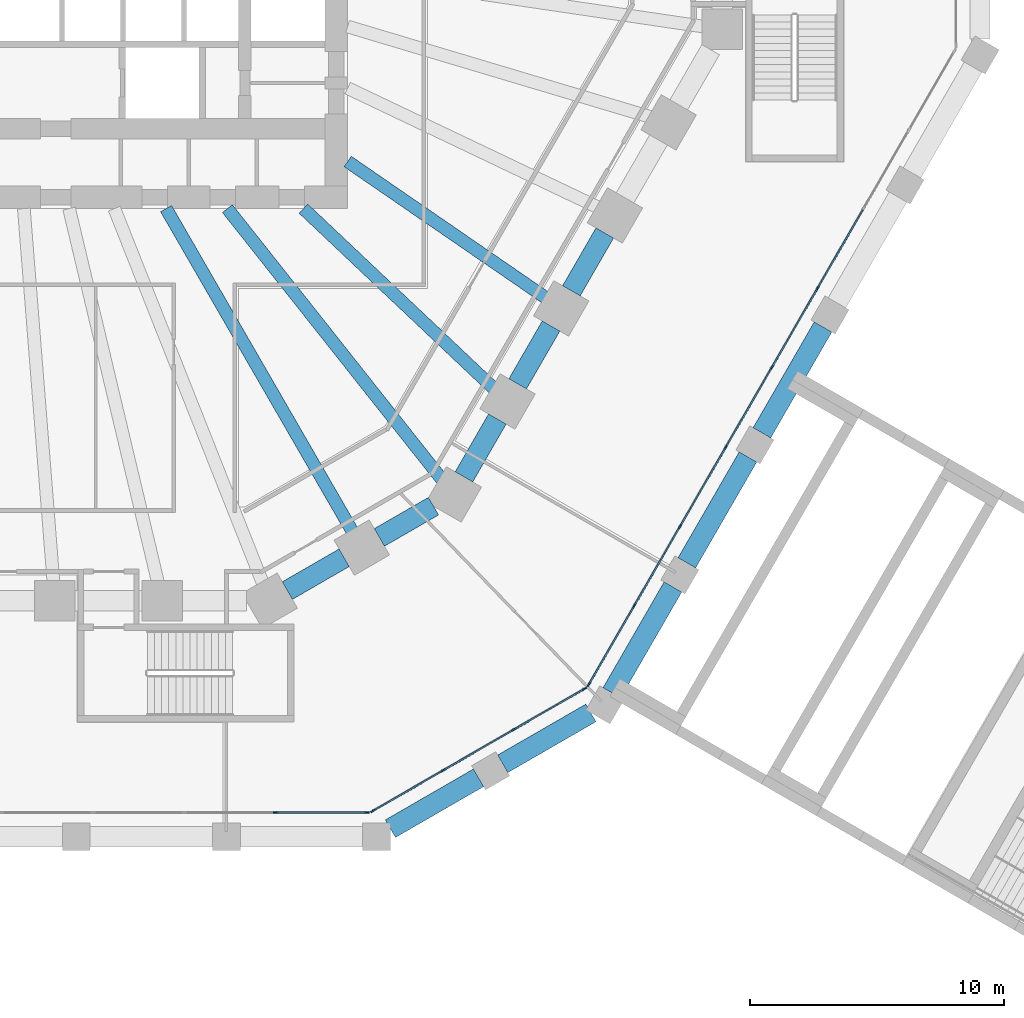
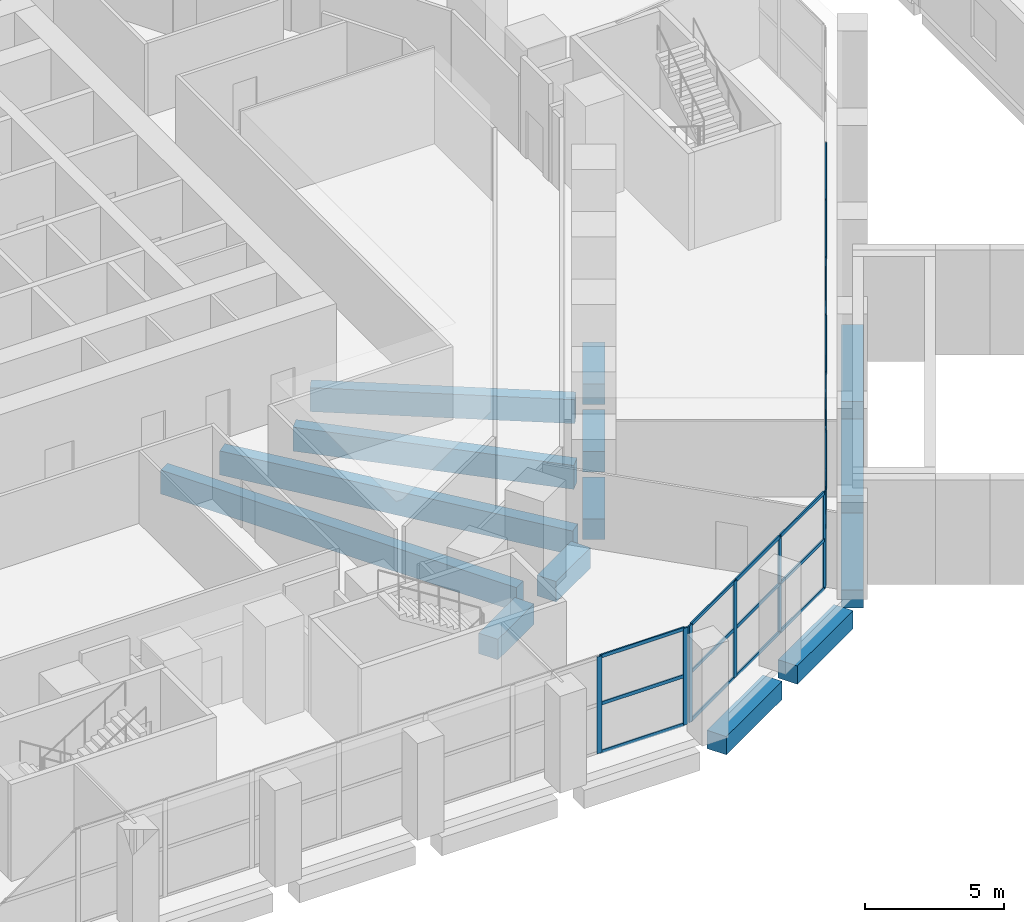
# One storey, part 7 of 38: 42 members, 14 beams, 3 elements without a shape of their own.
"""IFC4 building model written with IfcOpenShell, lengths in metres."""

from ifc_helpers import new_model, si_unit, direction, frame, origin, origin_2d, place, context, subcontext, project, spatial, rectangle, extrude, material, material_profile, profile_set, type_object, element, aggregate, save


model = new_model("IFC4")

# Units and contexts
model_context = context("Model", 3, precision=1e-05, world=origin(), true_north=direction((0.0, 1.0)))
body_context = subcontext(model_context, "Body", "Model", "MODEL_VIEW")
ifc_project = project(units=[si_unit("LENGTHUNIT", "METRE"), si_unit("AREAUNIT", "SQUARE_METRE"), si_unit("VOLUMEUNIT", "CUBIC_METRE"), si_unit("PLANEANGLEUNIT", "RADIAN"), si_unit("MASSUNIT", "GRAM", prefix="KILO")], contexts=[model_context])

# Site, building, storey
site_placement = place(None, origin())
site = spatial("IfcSite", under=ifc_project, at=site_placement, CompositionType="ELEMENT")
building_placement = place(site_placement, origin())
building = spatial("IfcBuilding", under=site, at=building_placement, Name="Frailejon Research Tower", CompositionType="ELEMENT")
storey_placement = place(building_placement, frame((0.0, 0.0, 5.60009765625)))
storey = spatial("IfcBuildingStorey", under=building, at=storey_placement, Name="L01", CompositionType="ELEMENT", Elevation=5.60009765625)

# Beams
ifc_material_1 = material(Name="Concrete C60/75", Category="concrete")
ifc_material_profile_1 = material_profile(ifc_material_1, rectangle(XDim=0.800048828125, YDim=0.800048828125, at=origin_2d()), Name="Base ring beam")
ifc_profile_set_1 = profile_set([ifc_material_profile_1], Name="Concrete C60/75")
beam_type_1 = type_object("IfcBeamType", Name="Base ring beam", PredefinedType="BEAM", material=ifc_profile_set_1)
for number, where, z_axis, x_axis, name in (
    (1, (15.334716796875, -35.6826171875, -0.75), (0.866013269967, 0.500021015799, 0.0), (-0.500021015799, 0.866013269967, 0.0), "Base ring beam"),
    (2, (19.760986328125, -33.126953125, -0.75), (0.866013269967, 0.500021015799, 0.0), (-0.500021015799, 0.866013269967, 0.0), "Base ring beam"),
):
    element("IfcBeam", number, at=place(storey_placement, frame(where, z_axis=z_axis, x_axis=x_axis)), inside=storey, type_object=beam_type_1, Name=name, PredefinedType="BEAM", context=body_context, shape_type="SweptSolid", body=[
        extrude(rectangle(XDim=0.800048828125, YDim=0.800048828125, at=origin_2d()), origin(), (0.0, 0.0, 1.0), 4.010986328125),
    ])
beam_1_placement = place(storey_placement, frame((24.0595703125, -30.327392578125, -0.75), z_axis=(0.500028306193, 0.866009060579, 0.0), x_axis=(-0.866009060579, 0.500028306193, 0.0)))
element("IfcBeam", 3, at=beam_1_placement, inside=storey, type_object=beam_type_1, Name="Base ring beam", PredefinedType="BEAM", context=body_context, shape_type="SweptSolid", body=[
    extrude(rectangle(XDim=0.800048828125, YDim=0.800048828125, at=origin_2d()), origin(), (0.0, 0.0, 1.0), 4.813720703125),
])
for number, where, z_axis, x_axis, name in (
    (4, (27.0166015625, -25.2060546875, -0.75), (0.50000634465, 0.866021740668, 0.0), (-0.866021740668, 0.50000634465, 0.0), "Base ring beam"),
    (5, (29.973388671875, -20.08447265625, -0.75), (0.50000634465, 0.866021740668, 0.0), (-0.866021740668, 0.50000634465, 0.0), "Base ring beam"),
):
    element("IfcBeam", number, at=place(storey_placement, frame(where, z_axis=z_axis, x_axis=x_axis)), inside=storey, type_object=beam_type_1, Name=name, PredefinedType="BEAM", context=body_context, shape_type="SweptSolid", body=[
        extrude(rectangle(XDim=0.800048828125, YDim=0.800048828125, at=origin_2d()), origin(), (0.0, 0.0, 1.0), 4.81396484375),
    ])
ifc_material_2 = material(Name="Concrete C60/75", Category="concrete")
ifc_material_profile_2 = material_profile(ifc_material_2, rectangle(XDim=0.5, YDim=1.050048828125, at=origin_2d()), Name="Girder 500x1050")
ifc_profile_set_2 = profile_set([ifc_material_profile_2], Name="Concrete C60/75")
beam_type_2 = type_object("IfcBeamType", Name="Girder 500x1050", PredefinedType="BEAM", material=ifc_profile_set_2)
beam_2_placement = place(storey_placement, frame((13.88134765625, -24.043212890625, -0.875), z_axis=(-0.500003328639, 0.866023481986, 0.0), x_axis=(-0.866023481986, -0.500003328639, 0.0)))
element("IfcBeam", 6, at=beam_2_placement, inside=storey, type_object=beam_type_2, Name="Girder 500x1050", PredefinedType="BEAM", context=body_context, shape_type="SweptSolid", body=[
    extrude(rectangle(XDim=0.5, YDim=1.050048828125, at=origin_2d()), origin(), (0.0, 0.0, 1.0), 14.7724609375),
])
beam_3_placement = place(storey_placement, frame((17.3916015625, -21.955322265625, -0.875), z_axis=(-0.620924993475, 0.783869984422, 0.0), x_axis=(-0.783869984422, -0.620924993475, 0.0)))
element("IfcBeam", 7, at=beam_3_placement, inside=storey, type_object=beam_type_2, Name="Girder 500x1050", PredefinedType="BEAM", context=body_context, shape_type="SweptSolid", body=[
    extrude(rectangle(XDim=0.5, YDim=1.050048828125, at=origin_2d()), origin(), (0.0, 0.0, 1.0), 13.656982421875),
])
beam_4_placement = place(storey_placement, frame((19.460205078125, -18.3857421875, -0.875), z_axis=(-0.72688803019, 0.686755991285, 0.0), x_axis=(-0.686755991285, -0.72688803019, 0.0)))
element("IfcBeam", 8, at=beam_4_placement, inside=storey, type_object=beam_type_2, Name="Girder 500x1050", PredefinedType="BEAM", context=body_context, shape_type="SweptSolid", body=[
    extrude(rectangle(XDim=0.5, YDim=1.050048828125, at=origin_2d()), origin(), (0.0, 0.0, 1.0), 10.390625),
])
beam_5_placement = place(storey_placement, frame((21.52734375, -14.8125, -0.875), z_axis=(-0.823825821578, 0.566843025626, 0.0), x_axis=(-0.566843025626, -0.823825821578, 0.0)))
element("IfcBeam", 9, at=beam_5_placement, inside=storey, type_object=beam_type_2, Name="Girder 500x1050", PredefinedType="BEAM", context=body_context, shape_type="SweptSolid", body=[
    extrude(rectangle(XDim=0.5, YDim=1.050048828125, at=origin_2d()), origin(), (0.0, 0.0, 1.0), 9.56201171875),
])
ifc_material_3 = material(Name="Concrete C60/75", Category="concrete")
ifc_material_profile_3 = material_profile(ifc_material_3, rectangle(XDim=0.800048828125, YDim=0.89990234375, at=origin_2d()), Name="Podium ring beam")
ifc_profile_set_3 = profile_set([ifc_material_profile_3], Name="Concrete C60/75")
beam_type_3 = type_object("IfcBeamType", Name="Podium ring beam", PredefinedType="BEAM", material=ifc_profile_set_3)
beam_6_placement = place(storey_placement, frame((11.272705078125, -26.300048828125, -0.800048828125), z_axis=(0.866004899711, 0.500035512416, 0.0), x_axis=(-0.500035512416, 0.866004899711, 0.0)))
element("IfcBeam", 10, at=beam_6_placement, inside=storey, type_object=beam_type_3, Name="Podium ring beam", PredefinedType="BEAM", context=body_context, shape_type="SweptSolid", body=[
    extrude(rectangle(XDim=0.800048828125, YDim=0.89990234375, at=origin_2d()), origin(), (0.0, 0.0, 1.0), 2.587646484375),
])
beam_7_placement = place(storey_placement, frame((14.899169921875, -24.206298828125, -0.800048828125), z_axis=(0.86602717807, 0.499996926835, 0.0), x_axis=(-0.499996926835, 0.86602717807, 0.0)))
element("IfcBeam", 11, at=beam_7_placement, inside=storey, type_object=beam_type_3, Name="Podium ring beam", PredefinedType="BEAM", context=body_context, shape_type="SweptSolid", body=[
    extrude(rectangle(XDim=0.800048828125, YDim=0.89990234375, at=origin_2d()), origin(), (0.0, 0.0, 1.0), 2.4638671875),
])
beam_8_placement = place(storey_placement, frame((18.23291015625, -21.819580078125, -0.800048828125), z_axis=(0.499990112884, 0.866031112038, 0.0), x_axis=(-0.866031112038, 0.499990112884, 0.0)))
element("IfcBeam", 12, at=beam_8_placement, inside=storey, type_object=beam_type_3, Name="Podium ring beam", PredefinedType="BEAM", context=body_context, shape_type="SweptSolid", body=[
    extrude(rectangle(XDim=0.800048828125, YDim=0.89990234375, at=origin_2d()), origin(), (0.0, 0.0, 1.0), 2.6318359375),
])
beam_9_placement = place(storey_placement, frame((20.348876953125, -18.15478515625, -0.800048828125), z_axis=(0.499949948743, 0.866054298963, 0.0), x_axis=(-0.866054298963, 0.499949948743, 0.0)))
element("IfcBeam", 13, at=beam_9_placement, inside=storey, type_object=beam_type_3, Name="Podium ring beam", PredefinedType="BEAM", context=body_context, shape_type="SweptSolid", body=[
    extrude(rectangle(XDim=0.800048828125, YDim=0.89990234375, at=origin_2d()), origin(), (0.0, 0.0, 1.0), 2.632080078125),
])
beam_10_placement = place(storey_placement, frame((22.46484375, -14.48974609375, -0.800048828125), z_axis=(0.500019514865, 0.866014136579, 0.0), x_axis=(-0.866014136579, 0.500019514865, 0.0)))
element("IfcBeam", 14, at=beam_10_placement, inside=storey, type_object=beam_type_3, Name="Podium ring beam", PredefinedType="BEAM", context=body_context, shape_type="SweptSolid", body=[
    extrude(rectangle(XDim=0.800048828125, YDim=0.89990234375, at=origin_2d()), origin(), (0.0, 0.0, 1.0), 2.63232421875),
])

# Curtain wall, members
ifc_material_4 = material(Name="Aluminium curtain wall", Category="aluminium")
curtain_wall_type = type_object("IfcCurtainWallType", Name="Podium stick curtain wall system", PredefinedType="NOTDEFINED", material=ifc_material_4)
curtain_wall_1_placement = place(storey_placement, origin())
curtain_wall_1 = element("IfcCurtainWall", 15, at=curtain_wall_1_placement, inside=storey, type_object=curtain_wall_type, Name="Curtain wall L01", PredefinedType="NOTDEFINED")
ifc_material_5 = material(Name="Aluminium extrusion", Category="aluminium")
ifc_material_profile_4 = material_profile(ifc_material_5, rectangle(XDim=0.06005859375, YDim=0.199951171875, at=origin_2d()), Name="Podium stick curtain wall mullion 60x200")
ifc_profile_set_4 = profile_set([ifc_material_profile_4], Name="Aluminium extrusion")
member_type_1 = type_object("IfcMemberType", Name="Podium stick curtain wall mullion 60x200", PredefinedType="MULLION", material=ifc_profile_set_4)
member_1_placement = place(storey_placement, frame((10.822509765625, -35.050048828125, 0.0), z_axis=(0.0, 0.0, 1.0), x_axis=(0.0, 1.0, 0.0)))
member_1 = element("IfcMember", 16, at=member_1_placement, type_object=member_type_1, Name="CW2-030 mullion 8", PredefinedType="MULLION", context=body_context, shape_type="SweptSolid", body=[
    extrude(rectangle(XDim=0.06005859375, YDim=0.199951171875, at=origin_2d()), origin(), (0.0, 0.0, 1.0), 4.25),
])
member_2_placement = place(storey_placement, frame((14.400146484375, -35.050048828125, 0.0), z_axis=(0.0, 0.0, 1.0), x_axis=(0.0, 1.0, 0.0)))
member_2 = element("IfcMember", 17, at=member_2_placement, type_object=member_type_1, Name="CW2-030 mullion 9", PredefinedType="MULLION", context=body_context, shape_type="SweptSolid", body=[
    extrude(rectangle(XDim=0.06005859375, YDim=0.199951171875, at=origin_2d()), origin(), (0.0, 0.0, 1.0), 4.25),
])

curtain_wall_2_placement = place(storey_placement, origin())
curtain_wall_2 = element("IfcCurtainWall", 18, at=curtain_wall_2_placement, inside=storey, type_object=curtain_wall_type, Name="Curtain wall L01", PredefinedType="NOTDEFINED")
member_3_placement = place(storey_placement, frame((14.642578125, -34.985107421875, 0.0), z_axis=(0.0, 0.0, 1.0), x_axis=(-0.499999874334, 0.866025476338, 0.0)))
member_3 = element("IfcMember", 19, at=member_3_placement, type_object=member_type_1, Name="CW2-031 mullion 1", PredefinedType="MULLION", context=body_context, shape_type="SweptSolid", body=[
    extrude(rectangle(XDim=0.06005859375, YDim=0.199951171875, at=origin_2d()), origin(), (0.0, 0.0, 1.0), 4.25),
])
member_4_placement = place(storey_placement, frame((17.412109375, -33.38623046875, 0.0), z_axis=(0.0, 0.0, 1.0), x_axis=(-0.499999874334, 0.866025476338, 0.0)))
member_4 = element("IfcMember", 20, at=member_4_placement, type_object=member_type_1, Name="CW2-031 mullion 2", PredefinedType="MULLION", context=body_context, shape_type="SweptSolid", body=[
    extrude(rectangle(XDim=0.06005859375, YDim=0.199951171875, at=origin_2d()), origin(), (0.0, 0.0, 1.0), 4.25),
])
member_5_placement = place(storey_placement, frame((20.207275390625, -31.772216796875, 0.0), z_axis=(0.0, 0.0, 1.0), x_axis=(-0.499999874334, 0.866025476338, 0.0)))
member_5 = element("IfcMember", 21, at=member_5_placement, type_object=member_type_1, Name="CW2-031 mullion 3", PredefinedType="MULLION", context=body_context, shape_type="SweptSolid", body=[
    extrude(rectangle(XDim=0.06005859375, YDim=0.199951171875, at=origin_2d()), origin(), (0.0, 0.0, 1.0), 4.25),
])
member_6_placement = place(storey_placement, frame((22.9765625, -30.17333984375, 0.0), z_axis=(0.0, 0.0, 1.0), x_axis=(-0.499999874334, 0.866025476338, 0.0)))
member_6 = element("IfcMember", 22, at=member_6_placement, type_object=member_type_1, Name="CW2-031 mullion 4", PredefinedType="MULLION", context=body_context, shape_type="SweptSolid", body=[
    extrude(rectangle(XDim=0.06005859375, YDim=0.199951171875, at=origin_2d()), origin(), (0.0, 0.0, 1.0), 4.25),
])

curtain_wall_3_placement = place(storey_placement, origin())
curtain_wall_3 = element("IfcCurtainWall", 23, at=curtain_wall_3_placement, inside=storey, type_object=curtain_wall_type, Name="Curtain wall L01", PredefinedType="NOTDEFINED")
member_7_placement = place(storey_placement, frame((23.154296875, -29.995849609375, 0.0), z_axis=(0.0, 0.0, 1.0), x_axis=(-0.86602632934, 0.499998396888, 0.0)))
member_7 = element("IfcMember", 24, at=member_7_placement, type_object=member_type_1, Name="CW2-032 mullion 1", PredefinedType="MULLION", context=body_context, shape_type="SweptSolid", body=[
    extrude(rectangle(XDim=0.06005859375, YDim=0.199951171875, at=origin_2d()), origin(), (0.0, 0.0, 1.0), 4.25),
])
member_8_placement = place(storey_placement, frame((24.94287109375, -26.897705078125, 0.0), z_axis=(0.0, 0.0, 1.0), x_axis=(-0.86602632934, 0.499998396888, 0.0)))
member_8 = element("IfcMember", 25, at=member_8_placement, type_object=member_type_1, Name="CW2-032 mullion 2", PredefinedType="MULLION", context=body_context, shape_type="SweptSolid", body=[
    extrude(rectangle(XDim=0.06005859375, YDim=0.199951171875, at=origin_2d()), origin(), (0.0, 0.0, 1.0), 4.25),
])
member_9_placement = place(storey_placement, frame((26.74658203125, -23.7734375, 0.0), z_axis=(0.0, 0.0, 1.0), x_axis=(-0.86602632934, 0.499998396888, 0.0)))
member_9 = element("IfcMember", 26, at=member_9_placement, type_object=member_type_1, Name="CW2-032 mullion 3", PredefinedType="MULLION", context=body_context, shape_type="SweptSolid", body=[
    extrude(rectangle(XDim=0.06005859375, YDim=0.199951171875, at=origin_2d()), origin(), (0.0, 0.0, 1.0), 4.25),
])
member_10_placement = place(storey_placement, frame((28.550537109375, -20.649169921875, 0.0), z_axis=(0.0, 0.0, 1.0), x_axis=(-0.86602632934, 0.499998396888, 0.0)))
member_10 = element("IfcMember", 27, at=member_10_placement, type_object=member_type_1, Name="CW2-032 mullion 4", PredefinedType="MULLION", context=body_context, shape_type="SweptSolid", body=[
    extrude(rectangle(XDim=0.06005859375, YDim=0.199951171875, at=origin_2d()), origin(), (0.0, 0.0, 1.0), 4.25),
])
member_11_placement = place(storey_placement, frame((30.354248046875, -17.52490234375, 0.0), z_axis=(0.0, 0.0, 1.0), x_axis=(-0.86602632934, 0.499998396888, 0.0)))
member_11 = element("IfcMember", 28, at=member_11_placement, type_object=member_type_1, Name="CW2-032 mullion 5", PredefinedType="MULLION", context=body_context, shape_type="SweptSolid", body=[
    extrude(rectangle(XDim=0.06005859375, YDim=0.199951171875, at=origin_2d()), origin(), (0.0, 0.0, 1.0), 4.25),
])
member_12_placement = place(storey_placement, frame((32.157958984375, -14.40087890625, 0.0), z_axis=(0.0, 0.0, 1.0), x_axis=(-0.86602632934, 0.499998396888, 0.0)))
member_12 = element("IfcMember", 29, at=member_12_placement, type_object=member_type_1, Name="CW2-032 mullion 6", PredefinedType="MULLION", context=body_context, shape_type="SweptSolid", body=[
    extrude(rectangle(XDim=0.06005859375, YDim=0.199951171875, at=origin_2d()), origin(), (0.0, 0.0, 1.0), 4.25),
])

# Member
ifc_material_6 = material(Name="Aluminium extrusion", Category="aluminium")
ifc_material_profile_5 = material_profile(ifc_material_6, rectangle(XDim=0.06005859375, YDim=0.14990234375, at=origin_2d()), Name="Podium stick curtain wall transom 60x150")
ifc_profile_set_5 = profile_set([ifc_material_profile_5], Name="Aluminium extrusion")
member_type_2 = type_object("IfcMemberType", Name="Podium stick curtain wall transom 60x150", PredefinedType="USERDEFINED", material=ifc_profile_set_5)
member_13_placement = place(storey_placement, frame((10.8525390625, -35.050048828125, 0.02978515625), z_axis=(1.0, 0.0, 0.0), x_axis=(0.0, 1.0, 0.0)))
member_13 = element("IfcMember", 30, at=member_13_placement, type_object=member_type_2, Name="CW2-030 transom 8.1", ObjectType="TRANSOM", PredefinedType="USERDEFINED", context=body_context, shape_type="SweptSolid", body=[
    extrude(rectangle(XDim=0.06005859375, YDim=0.14990234375, at=origin_2d()), origin(), (0.0, 0.0, 1.0), 3.517578125),
])

member_14_placement = place(storey_placement, frame((10.8525390625, -35.050048828125, 2.14990234375), z_axis=(1.0, 0.0, 0.0), x_axis=(0.0, 1.0, 0.0)))
member_14 = element("IfcMember", 31, at=member_14_placement, type_object=member_type_2, Name="CW2-030 transom 8.2", ObjectType="TRANSOM", PredefinedType="USERDEFINED", context=body_context, shape_type="SweptSolid", body=[
    extrude(rectangle(XDim=0.06005859375, YDim=0.14990234375, at=origin_2d()), origin(), (0.0, 0.0, 1.0), 3.517578125),
])

member_15_placement = place(storey_placement, frame((10.8525390625, -35.050048828125, 4.219970703125), z_axis=(1.0, 0.0, 0.0), x_axis=(0.0, 1.0, 0.0)))
member_15 = element("IfcMember", 32, at=member_15_placement, type_object=member_type_2, Name="CW2-030 transom 8.3", ObjectType="TRANSOM", PredefinedType="USERDEFINED", context=body_context, shape_type="SweptSolid", body=[
    extrude(rectangle(XDim=0.06005859375, YDim=0.14990234375, at=origin_2d()), origin(), (0.0, 0.0, 1.0), 3.517578125),
])

aggregate(curtain_wall_1, [member_1, member_2, member_13, member_14, member_15])

member_16_placement = place(storey_placement, frame((14.668701171875, -34.969970703125, 0.02978515625), z_axis=(0.866022320763, 0.500005339912, 0.0), x_axis=(-0.500005339912, 0.866022320763, 0.0)))
member_16 = element("IfcMember", 33, at=member_16_placement, type_object=member_type_2, Name="CW2-031 transom 1.1", ObjectType="TRANSOM", PredefinedType="USERDEFINED", context=body_context, shape_type="SweptSolid", body=[
    extrude(rectangle(XDim=0.06005859375, YDim=0.14990234375, at=origin_2d()), origin(), (0.0, 0.0, 1.0), 3.1376953125),
])

member_17_placement = place(storey_placement, frame((14.668701171875, -34.969970703125, 2.14990234375), z_axis=(0.866022320763, 0.500005339912, 0.0), x_axis=(-0.500005339912, 0.866022320763, 0.0)))
member_17 = element("IfcMember", 34, at=member_17_placement, type_object=member_type_2, Name="CW2-031 transom 1.2", ObjectType="TRANSOM", PredefinedType="USERDEFINED", context=body_context, shape_type="SweptSolid", body=[
    extrude(rectangle(XDim=0.06005859375, YDim=0.14990234375, at=origin_2d()), origin(), (0.0, 0.0, 1.0), 3.1376953125),
])

member_18_placement = place(storey_placement, frame((14.668701171875, -34.969970703125, 4.219970703125), z_axis=(0.866022320763, 0.500005339912, 0.0), x_axis=(-0.500005339912, 0.866022320763, 0.0)))
member_18 = element("IfcMember", 35, at=member_18_placement, type_object=member_type_2, Name="CW2-031 transom 1.3", ObjectType="TRANSOM", PredefinedType="USERDEFINED", context=body_context, shape_type="SweptSolid", body=[
    extrude(rectangle(XDim=0.06005859375, YDim=0.14990234375, at=origin_2d()), origin(), (0.0, 0.0, 1.0), 3.1376953125),
])

member_19_placement = place(storey_placement, frame((17.43798828125, -33.37109375, 0.02978515625), z_axis=(0.866048262394, 0.499960405637, 0.0), x_axis=(-0.499960405637, 0.866048262394, 0.0)))
member_19 = element("IfcMember", 36, at=member_19_placement, type_object=member_type_2, Name="CW2-031 transom 2.1", ObjectType="TRANSOM", PredefinedType="USERDEFINED", context=body_context, shape_type="SweptSolid", body=[
    extrude(rectangle(XDim=0.06005859375, YDim=0.14990234375, at=origin_2d()), origin(), (0.0, 0.0, 1.0), 3.167724609375),
])

member_20_placement = place(storey_placement, frame((17.43798828125, -33.37109375, 2.14990234375), z_axis=(0.866048262394, 0.499960405637, 0.0), x_axis=(-0.499960405637, 0.866048262394, 0.0)))
member_20 = element("IfcMember", 37, at=member_20_placement, type_object=member_type_2, Name="CW2-031 transom 2.2", ObjectType="TRANSOM", PredefinedType="USERDEFINED", context=body_context, shape_type="SweptSolid", body=[
    extrude(rectangle(XDim=0.06005859375, YDim=0.14990234375, at=origin_2d()), origin(), (0.0, 0.0, 1.0), 3.167724609375),
])

member_21_placement = place(storey_placement, frame((17.43798828125, -33.37109375, 4.219970703125), z_axis=(0.866048262394, 0.499960405637, 0.0), x_axis=(-0.499960405637, 0.866048262394, 0.0)))
member_21 = element("IfcMember", 38, at=member_21_placement, type_object=member_type_2, Name="CW2-031 transom 2.3", ObjectType="TRANSOM", PredefinedType="USERDEFINED", context=body_context, shape_type="SweptSolid", body=[
    extrude(rectangle(XDim=0.06005859375, YDim=0.14990234375, at=origin_2d()), origin(), (0.0, 0.0, 1.0), 3.167724609375),
])

member_22_placement = place(storey_placement, frame((20.2333984375, -31.75732421875, 0.02978515625), z_axis=(0.866022320763, 0.500005339912, 0.0), x_axis=(-0.500005339912, 0.866022320763, 0.0)))
member_22 = element("IfcMember", 39, at=member_22_placement, type_object=member_type_2, Name="CW2-031 transom 3.1", ObjectType="TRANSOM", PredefinedType="USERDEFINED", context=body_context, shape_type="SweptSolid", body=[
    extrude(rectangle(XDim=0.06005859375, YDim=0.14990234375, at=origin_2d()), origin(), (0.0, 0.0, 1.0), 3.1376953125),
])

member_23_placement = place(storey_placement, frame((20.2333984375, -31.75732421875, 2.14990234375), z_axis=(0.866022320763, 0.500005339912, 0.0), x_axis=(-0.500005339912, 0.866022320763, 0.0)))
member_23 = element("IfcMember", 40, at=member_23_placement, type_object=member_type_2, Name="CW2-031 transom 3.2", ObjectType="TRANSOM", PredefinedType="USERDEFINED", context=body_context, shape_type="SweptSolid", body=[
    extrude(rectangle(XDim=0.06005859375, YDim=0.14990234375, at=origin_2d()), origin(), (0.0, 0.0, 1.0), 3.1376953125),
])

member_24_placement = place(storey_placement, frame((20.2333984375, -31.75732421875, 4.219970703125), z_axis=(0.866022320763, 0.500005339912, 0.0), x_axis=(-0.500005339912, 0.866022320763, 0.0)))
member_24 = element("IfcMember", 41, at=member_24_placement, type_object=member_type_2, Name="CW2-031 transom 3.3", ObjectType="TRANSOM", PredefinedType="USERDEFINED", context=body_context, shape_type="SweptSolid", body=[
    extrude(rectangle(XDim=0.06005859375, YDim=0.14990234375, at=origin_2d()), origin(), (0.0, 0.0, 1.0), 3.1376953125),
])

aggregate(curtain_wall_2, [member_3, member_4, member_5, member_6, member_16, member_17, member_18, member_19, member_20, member_21, member_22, member_23, member_24])

member_25_placement = place(storey_placement, frame((23.169189453125, -29.9697265625, 0.02978515625), z_axis=(0.500020858477, 0.866013360802, 0.0), x_axis=(-0.866013360802, 0.500020858477, 0.0)))
member_25 = element("IfcMember", 42, at=member_25_placement, type_object=member_type_2, Name="CW2-032 transom 1.1", ObjectType="TRANSOM", PredefinedType="USERDEFINED", context=body_context, shape_type="SweptSolid", body=[
    extrude(rectangle(XDim=0.06005859375, YDim=0.14990234375, at=origin_2d()), origin(), (0.0, 0.0, 1.0), 3.517333984375),
])

member_26_placement = place(storey_placement, frame((23.169189453125, -29.9697265625, 2.14990234375), z_axis=(0.500020858477, 0.866013360802, 0.0), x_axis=(-0.866013360802, 0.500020858477, 0.0)))
member_26 = element("IfcMember", 43, at=member_26_placement, type_object=member_type_2, Name="CW2-032 transom 1.2", ObjectType="TRANSOM", PredefinedType="USERDEFINED", context=body_context, shape_type="SweptSolid", body=[
    extrude(rectangle(XDim=0.06005859375, YDim=0.14990234375, at=origin_2d()), origin(), (0.0, 0.0, 1.0), 3.517333984375),
])

member_27_placement = place(storey_placement, frame((23.169189453125, -29.9697265625, 4.219970703125), z_axis=(0.500020858477, 0.866013360802, 0.0), x_axis=(-0.866013360802, 0.500020858477, 0.0)))
member_27 = element("IfcMember", 44, at=member_27_placement, type_object=member_type_2, Name="CW2-032 transom 1.3", ObjectType="TRANSOM", PredefinedType="USERDEFINED", context=body_context, shape_type="SweptSolid", body=[
    extrude(rectangle(XDim=0.06005859375, YDim=0.14990234375, at=origin_2d()), origin(), (0.0, 0.0, 1.0), 3.517333984375),
])

member_28_placement = place(storey_placement, frame((24.9580078125, -26.87158203125, 0.02978515625), z_axis=(0.499980603476, 0.866036602083, 0.0), x_axis=(-0.866036602083, 0.499980603476, 0.0)))
member_28 = element("IfcMember", 45, at=member_28_placement, type_object=member_type_2, Name="CW2-032 transom 2.1", ObjectType="TRANSOM", PredefinedType="USERDEFINED", context=body_context, shape_type="SweptSolid", body=[
    extrude(rectangle(XDim=0.06005859375, YDim=0.14990234375, at=origin_2d()), origin(), (0.0, 0.0, 1.0), 3.547607421875),
])

member_29_placement = place(storey_placement, frame((24.9580078125, -26.87158203125, 2.14990234375), z_axis=(0.499980603476, 0.866036602083, 0.0), x_axis=(-0.866036602083, 0.499980603476, 0.0)))
member_29 = element("IfcMember", 46, at=member_29_placement, type_object=member_type_2, Name="CW2-032 transom 2.2", ObjectType="TRANSOM", PredefinedType="USERDEFINED", context=body_context, shape_type="SweptSolid", body=[
    extrude(rectangle(XDim=0.06005859375, YDim=0.14990234375, at=origin_2d()), origin(), (0.0, 0.0, 1.0), 3.547607421875),
])

member_30_placement = place(storey_placement, frame((24.9580078125, -26.87158203125, 4.219970703125), z_axis=(0.499980603476, 0.866036602083, 0.0), x_axis=(-0.866036602083, 0.499980603476, 0.0)))
member_30 = element("IfcMember", 47, at=member_30_placement, type_object=member_type_2, Name="CW2-032 transom 2.3", ObjectType="TRANSOM", PredefinedType="USERDEFINED", context=body_context, shape_type="SweptSolid", body=[
    extrude(rectangle(XDim=0.06005859375, YDim=0.14990234375, at=origin_2d()), origin(), (0.0, 0.0, 1.0), 3.547607421875),
])

member_31_placement = place(storey_placement, frame((26.76171875, -23.747314453125, 0.02978515625), z_axis=(0.500010404316, 0.866019396766, 0.0), x_axis=(-0.866019396766, 0.500010404316, 0.0)))
member_31 = element("IfcMember", 48, at=member_31_placement, type_object=member_type_2, Name="CW2-032 transom 3.1", ObjectType="TRANSOM", PredefinedType="USERDEFINED", context=body_context, shape_type="SweptSolid", body=[
    extrude(rectangle(XDim=0.06005859375, YDim=0.14990234375, at=origin_2d()), origin(), (0.0, 0.0, 1.0), 3.54736328125),
])

member_32_placement = place(storey_placement, frame((26.76171875, -23.747314453125, 2.14990234375), z_axis=(0.500010404316, 0.866019396766, 0.0), x_axis=(-0.866019396766, 0.500010404316, 0.0)))
member_32 = element("IfcMember", 49, at=member_32_placement, type_object=member_type_2, Name="CW2-032 transom 3.2", ObjectType="TRANSOM", PredefinedType="USERDEFINED", context=body_context, shape_type="SweptSolid", body=[
    extrude(rectangle(XDim=0.06005859375, YDim=0.14990234375, at=origin_2d()), origin(), (0.0, 0.0, 1.0), 3.54736328125),
])

member_33_placement = place(storey_placement, frame((26.76171875, -23.747314453125, 4.219970703125), z_axis=(0.500010404316, 0.866019396766, 0.0), x_axis=(-0.866019396766, 0.500010404316, 0.0)))
member_33 = element("IfcMember", 50, at=member_33_placement, type_object=member_type_2, Name="CW2-032 transom 3.3", ObjectType="TRANSOM", PredefinedType="USERDEFINED", context=body_context, shape_type="SweptSolid", body=[
    extrude(rectangle(XDim=0.06005859375, YDim=0.14990234375, at=origin_2d()), origin(), (0.0, 0.0, 1.0), 3.54736328125),
])

member_34_placement = place(storey_placement, frame((28.5654296875, -20.623291015625, 0.02978515625), z_axis=(0.499980603476, 0.866036602083, 0.0), x_axis=(-0.866036602083, 0.499980603476, 0.0)))
member_34 = element("IfcMember", 51, at=member_34_placement, type_object=member_type_2, Name="CW2-032 transom 4.1", ObjectType="TRANSOM", PredefinedType="USERDEFINED", context=body_context, shape_type="SweptSolid", body=[
    extrude(rectangle(XDim=0.06005859375, YDim=0.14990234375, at=origin_2d()), origin(), (0.0, 0.0, 1.0), 3.547607421875),
])

member_35_placement = place(storey_placement, frame((28.5654296875, -20.623291015625, 2.14990234375), z_axis=(0.499980603476, 0.866036602083, 0.0), x_axis=(-0.866036602083, 0.499980603476, 0.0)))
member_35 = element("IfcMember", 52, at=member_35_placement, type_object=member_type_2, Name="CW2-032 transom 4.2", ObjectType="TRANSOM", PredefinedType="USERDEFINED", context=body_context, shape_type="SweptSolid", body=[
    extrude(rectangle(XDim=0.06005859375, YDim=0.14990234375, at=origin_2d()), origin(), (0.0, 0.0, 1.0), 3.547607421875),
])

member_36_placement = place(storey_placement, frame((28.5654296875, -20.623291015625, 4.219970703125), z_axis=(0.499980603476, 0.866036602083, 0.0), x_axis=(-0.866036602083, 0.499980603476, 0.0)))
member_36 = element("IfcMember", 53, at=member_36_placement, type_object=member_type_2, Name="CW2-032 transom 4.3", ObjectType="TRANSOM", PredefinedType="USERDEFINED", context=body_context, shape_type="SweptSolid", body=[
    extrude(rectangle(XDim=0.06005859375, YDim=0.14990234375, at=origin_2d()), origin(), (0.0, 0.0, 1.0), 3.547607421875),
])

member_37_placement = place(storey_placement, frame((30.369140625, -17.4990234375, 0.02978515625), z_axis=(0.500032217487, 0.86600680221, 0.0), x_axis=(-0.86600680221, 0.500032217487, 0.0)))
member_37 = element("IfcMember", 54, at=member_37_placement, type_object=member_type_2, Name="CW2-032 transom 5.1", ObjectType="TRANSOM", PredefinedType="USERDEFINED", context=body_context, shape_type="SweptSolid", body=[
    extrude(rectangle(XDim=0.06005859375, YDim=0.14990234375, at=origin_2d()), origin(), (0.0, 0.0, 1.0), 3.547607421875),
])

member_38_placement = place(storey_placement, frame((30.369140625, -17.4990234375, 2.14990234375), z_axis=(0.500032217487, 0.86600680221, 0.0), x_axis=(-0.86600680221, 0.500032217487, 0.0)))
member_38 = element("IfcMember", 55, at=member_38_placement, type_object=member_type_2, Name="CW2-032 transom 5.2", ObjectType="TRANSOM", PredefinedType="USERDEFINED", context=body_context, shape_type="SweptSolid", body=[
    extrude(rectangle(XDim=0.06005859375, YDim=0.14990234375, at=origin_2d()), origin(), (0.0, 0.0, 1.0), 3.547607421875),
])

member_39_placement = place(storey_placement, frame((30.369140625, -17.4990234375, 4.219970703125), z_axis=(0.500032217487, 0.86600680221, 0.0), x_axis=(-0.86600680221, 0.500032217487, 0.0)))
member_39 = element("IfcMember", 56, at=member_39_placement, type_object=member_type_2, Name="CW2-032 transom 5.3", ObjectType="TRANSOM", PredefinedType="USERDEFINED", context=body_context, shape_type="SweptSolid", body=[
    extrude(rectangle(XDim=0.06005859375, YDim=0.14990234375, at=origin_2d()), origin(), (0.0, 0.0, 1.0), 3.547607421875),
])

member_40_placement = place(storey_placement, frame((32.1728515625, -14.374755859375, 0.02978515625), z_axis=(0.500032217487, 0.86600680221, 0.0), x_axis=(-0.86600680221, 0.500032217487, 0.0)))
member_40 = element("IfcMember", 57, at=member_40_placement, type_object=member_type_2, Name="CW2-032 transom 6.1", ObjectType="TRANSOM", PredefinedType="USERDEFINED", context=body_context, shape_type="SweptSolid", body=[
    extrude(rectangle(XDim=0.06005859375, YDim=0.14990234375, at=origin_2d()), origin(), (0.0, 0.0, 1.0), 3.547607421875),
])

member_41_placement = place(storey_placement, frame((32.1728515625, -14.374755859375, 2.14990234375), z_axis=(0.500032217487, 0.86600680221, 0.0), x_axis=(-0.86600680221, 0.500032217487, 0.0)))
member_41 = element("IfcMember", 58, at=member_41_placement, type_object=member_type_2, Name="CW2-032 transom 6.2", ObjectType="TRANSOM", PredefinedType="USERDEFINED", context=body_context, shape_type="SweptSolid", body=[
    extrude(rectangle(XDim=0.06005859375, YDim=0.14990234375, at=origin_2d()), origin(), (0.0, 0.0, 1.0), 3.547607421875),
])

member_42_placement = place(storey_placement, frame((32.1728515625, -14.374755859375, 4.219970703125), z_axis=(0.500032217487, 0.86600680221, 0.0), x_axis=(-0.86600680221, 0.500032217487, 0.0)))
member_42 = element("IfcMember", 59, at=member_42_placement, type_object=member_type_2, Name="CW2-032 transom 6.3", ObjectType="TRANSOM", PredefinedType="USERDEFINED", context=body_context, shape_type="SweptSolid", body=[
    extrude(rectangle(XDim=0.06005859375, YDim=0.14990234375, at=origin_2d()), origin(), (0.0, 0.0, 1.0), 3.547607421875),
])

aggregate(curtain_wall_3, [member_7, member_8, member_9, member_10, member_11, member_12, member_25, member_26, member_27, member_28, member_29, member_30, member_31, member_32, member_33, member_34, member_35, member_36, member_37, member_38, member_39, member_40, member_41, member_42])

save(model, "model.ifc")
